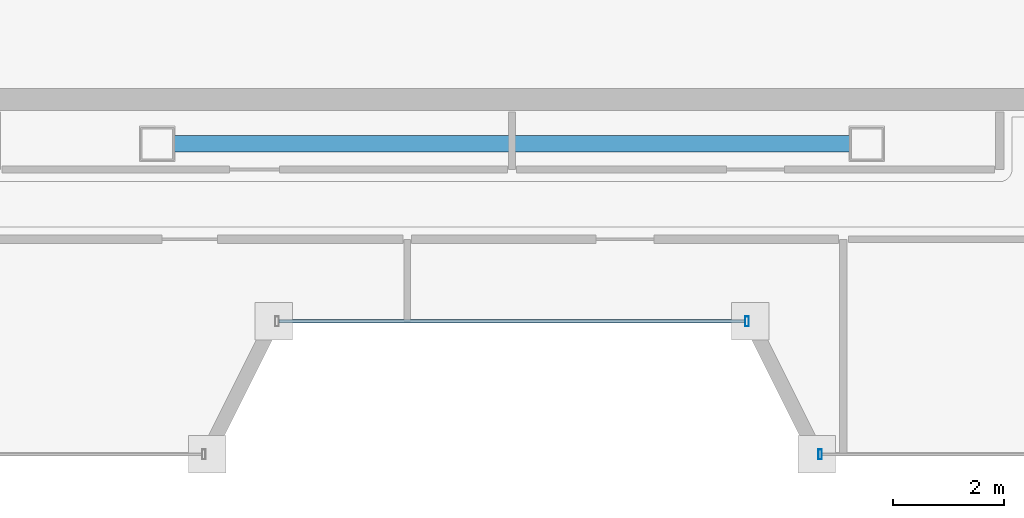
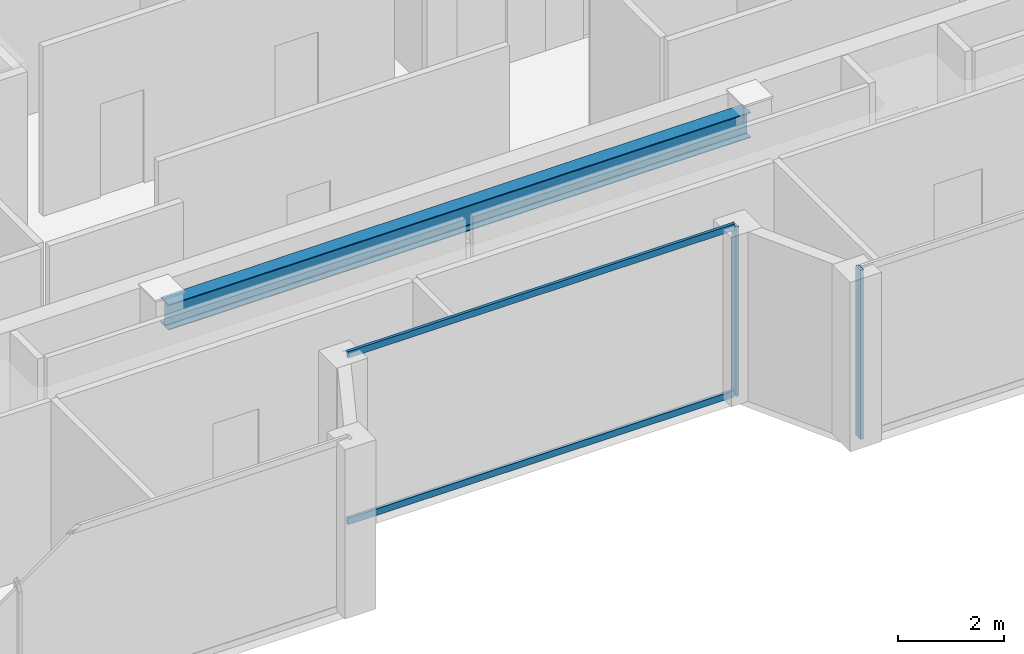
# One storey, part 5 of 17: 4 members, 1 beam, 2 elements without a shape of their own.
"""IFC4 building model written with IfcOpenShell, lengths in metres."""

import ifcopenshell
import ifcopenshell.guid

model = None  # the IFC model being written
_history = None  # IfcOwnerHistory: only IFC2X3 demands one
_inside = {}  # id of a spatial element -> (the spatial element, [elements in it])
_under = {}  # id of a project, library or spatial element -> (it, [spatial elements below it])
_declared = {}  # id of a project -> (the project, [libraries it declares])
_typed = {}  # id of a type object -> (the type object, [elements of that type])
_made_of = {}  # id of a material, layer set ... -> (it, [elements and type objects made of it])


def new_model(schema):
    """Start an empty IFC model of exactly this schema.

    Asked for "IFC4X3", IfcOpenShell would pick the latest addendum, in which some entities
    have other attributes; the version numbers below select the first issue.
    IFC2X3 requires an IfcOwnerHistory on every rooted entity: one is made here for all.
    """
    global model, _history
    if schema == "IFC4X3":
        model = ifcopenshell.file(schema_version=(4, 3, 0, 0))
    else:
        model = ifcopenshell.file(schema=schema)
    _inside.clear()
    _under.clear()
    _declared.clear()
    _typed.clear()
    _made_of.clear()
    _history = None
    if model.schema == "IFC2X3":
        org = make("IfcOrganization", Name="unknown")
        user = make(
            "IfcPersonAndOrganization",
            ThePerson=make("IfcPerson", FamilyName="unknown"),
            TheOrganization=org,
        )
        app = make(
            "IfcApplication",
            ApplicationDeveloper=org,
            Version="unknown",
            ApplicationFullName="unknown",
            ApplicationIdentifier="unknown",
        )
        _history = make(
            "IfcOwnerHistory",
            OwningUser=user,
            OwningApplication=app,
            ChangeAction="ADDED",
            CreationDate=0,
        )
    return model


def make(cls, **values):
    """One entity of the class cls with the attributes given. An attribute that is None is left unset."""
    return model.create_entity(
        cls, **{name: value for name, value in values.items() if value is not None}
    )


def rooted(cls, **values):
    """An entity with a GlobalId (a new one), such as an element, a storey or a relation."""
    return make(cls, GlobalId=ifcopenshell.guid.new(), OwnerHistory=_history, **values)


def si_unit(unit_type, name, prefix=None):
    """IfcSIUnit, for example si_unit("LENGTHUNIT", "METRE", prefix="MILLI")."""
    return make("IfcSIUnit", UnitType=unit_type, Prefix=prefix, Name=name)


def assignment(units):
    """IfcUnitAssignment: the units of a project."""
    return None if units is None else make("IfcUnitAssignment", Units=units)


def point(xyz):
    """IfcCartesianPoint."""
    return None if xyz is None else make("IfcCartesianPoint", Coordinates=xyz)


def direction(xyz):
    """IfcDirection."""
    return None if xyz is None else make("IfcDirection", DirectionRatios=xyz)


def frame(location, z_axis=None, x_axis=None):
    """IfcAxis2Placement3D, a coordinate frame: its origin and axes. An axis left out is left unset."""
    return make(
        "IfcAxis2Placement3D",
        Location=point(location),
        Axis=direction(z_axis),
        RefDirection=direction(x_axis),
    )


def frame_2d(location, x_axis=None):
    """IfcAxis2Placement2D, a coordinate frame in the plane: its origin and x axis."""
    return make(
        "IfcAxis2Placement2D", Location=point(location), RefDirection=direction(x_axis)
    )


def origin():
    """The frame at (0, 0, 0) with its axes left unset."""
    return frame((0.0, 0.0, 0.0))


def origin_2d():
    """The frame at (0, 0) in the plane with its x axis left unset."""
    return frame_2d((0.0, 0.0))


def place(relative_to, where):
    """IfcLocalPlacement: puts the frame where relative to a parent placement (None: the world)."""
    return make(
        "IfcLocalPlacement", PlacementRelTo=relative_to, RelativePlacement=where
    )


def context(
    kind, dimensions, precision=None, world=None, true_north=None, identifier=None
):
    """IfcGeometricRepresentationContext, for example the 3D "Model" context."""
    return make(
        "IfcGeometricRepresentationContext",
        ContextIdentifier=identifier,
        ContextType=kind,
        CoordinateSpaceDimension=dimensions,
        Precision=precision,
        WorldCoordinateSystem=world,
        TrueNorth=true_north,
    )


def subcontext(parent, identifier, kind, view, scale=None):
    """IfcGeometricRepresentationSubContext, for example "Body" below "Model"."""
    return make(
        "IfcGeometricRepresentationSubContext",
        ContextIdentifier=identifier,
        ContextType=kind,
        ParentContext=parent,
        TargetScale=scale,
        TargetView=view,
    )


def project(units=None, contexts=None):
    """IfcProject with its units and contexts."""
    return rooted(
        "IfcProject",
        Name="project",
        RepresentationContexts=contexts,
        UnitsInContext=assignment(units),
    )


def spatial(cls, under=None, at=None, **own):
    """A site, building, storey or space (cls), placed at a placement, below another one or the project."""
    s = rooted(cls, ObjectPlacement=at, **own)
    if under is not None:
        _under.setdefault(under.id(), (under, []))[1].append(s)
    return s


def profile(cls, at=None, kind="AREA", **sizes):
    """A parametric profile (cls). Its sizes go by their IFC names, for example OverallWidth=200.0."""
    return make(cls, ProfileType=kind, Position=at, **sizes)


def hollow_rectangle(**sizes):
    """IfcRectangleHollowProfileDef."""
    return profile("IfcRectangleHollowProfileDef", **sizes)


def i_section(**sizes):
    """IfcIShapeProfileDef."""
    return profile("IfcIShapeProfileDef", **sizes)


def extrude(swept, where, along, depth):
    """IfcExtrudedAreaSolid: the profile swept, set in the frame where, extruded along a direction by depth."""
    return make(
        "IfcExtrudedAreaSolid",
        SweptArea=swept,
        Position=where,
        ExtrudedDirection=direction(along),
        Depth=depth,
    )


def shape(context_of_items, identifier, shape_type, items):
    """IfcShapeRepresentation: the items that make up one representation, for example the "Body"."""
    return make(
        "IfcShapeRepresentation",
        ContextOfItems=context_of_items,
        RepresentationIdentifier=identifier,
        RepresentationType=shape_type,
        Items=items,
    )


def material(Name=None, Category=None):
    """IfcMaterial."""
    return make("IfcMaterial", Name=Name, Category=Category)


def material_profile(
    of_material, cross_section, Name=None, Category=None, Priority=None
):
    """IfcMaterialProfile: a cross section and its material."""
    return make(
        "IfcMaterialProfile",
        Name=Name,
        Material=of_material,
        Profile=cross_section,
        Priority=Priority,
        Category=Category,
    )


def profile_set(profiles, Name=None, composite=None):
    """IfcMaterialProfileSet."""
    return make(
        "IfcMaterialProfileSet",
        Name=Name,
        MaterialProfiles=profiles,
        CompositeProfile=composite,
    )


def made_of(thing, what):
    """Note that an element or type object is made of a material, layer set ...; save() writes the relation."""
    if what is not None:
        _made_of.setdefault(what.id(), (what, []))[1].append(thing)
    return thing


def type_object(cls, material=None, **own):
    """A type object (cls), such as IfcWallType, which elements share."""
    return made_of(rooted(cls, **own), material)


def element(
    cls,
    number,
    at=None,
    inside=None,
    cuts=None,
    type_object=None,
    material=None,
    context=None,
    identifier="Body",
    shape_type=None,
    held_by="IfcProductDefinitionShape",
    body=None,
    shapes=None,
    **own,
):
    """One element of the class cls, such as IfcWall. Its Tag is "e" and its number.

    at: its placement. inside: the storey or other place that contains it. cuts: it is an
    opening in that element (IfcRelVoidsElement). A single representation is given by context,
    identifier, shape_type and body (its items); several are given by shapes. held_by: the class
    of the entity that holds the representations. save() writes the other relations.
    """
    e = rooted(cls, Tag="e%d" % number, ObjectPlacement=at, **own)
    if body is not None:
        shapes = [shape(context, identifier, shape_type, body)]
    if shapes is not None:
        e.Representation = make(held_by, Representations=shapes)
    if inside is not None:
        _inside.setdefault(inside.id(), (inside, []))[1].append(e)
    if cuts is not None:
        rooted(
            "IfcRelVoidsElement", RelatingBuildingElement=cuts, RelatedOpeningElement=e
        )
    if type_object is not None:
        _typed.setdefault(type_object.id(), (type_object, []))[1].append(e)
    return made_of(e, material)


def aggregate(whole, parts):
    """IfcRelAggregates: a whole, such as a stair, and the parts it consists of."""
    return rooted("IfcRelAggregates", RelatingObject=whole, RelatedObjects=parts)


def save(model, path):
    """Write the relations noted so far, then the file.

    IfcRelAggregates (storeys below a building ...), IfcRelContainedInSpatialStructure (elements
    in a storey), IfcRelDefinesByType, IfcRelAssociatesMaterial and IfcRelDeclares: one each for
    every whole, place, type object, material and project.
    """
    for whole, parts in _under.values():
        aggregate(whole, parts)
    for where, things in _inside.values():
        rooted(
            "IfcRelContainedInSpatialStructure",
            RelatedElements=things,
            RelatingStructure=where,
        )
    for kind, things in _typed.values():
        rooted("IfcRelDefinesByType", RelatedObjects=things, RelatingType=kind)
    for what, things in _made_of.values():
        rooted("IfcRelAssociatesMaterial", RelatedObjects=things, RelatingMaterial=what)
    for by, libraries in _declared.values():
        rooted("IfcRelDeclares", RelatingContext=by, RelatedDefinitions=libraries)
    model.write(path)


model = new_model("IFC4")

# Units and contexts
model_context = context("Model", 3, precision=1e-05, world=origin(), true_north=direction((0.0, 1.0)))
body_context = subcontext(model_context, "Body", "Model", "MODEL_VIEW")
ifc_project = project(units=[si_unit("LENGTHUNIT", "METRE"), si_unit("AREAUNIT", "SQUARE_METRE"), si_unit("VOLUMEUNIT", "CUBIC_METRE"), si_unit("PLANEANGLEUNIT", "RADIAN"), si_unit("MASSUNIT", "GRAM", prefix="KILO")], contexts=[model_context])

# Site, building, storey
site_placement = place(None, origin())
site = spatial("IfcSite", under=ifc_project, at=site_placement, CompositionType="ELEMENT")
building_placement = place(site_placement, origin())
building = spatial("IfcBuilding", under=site, at=building_placement, Name="Saevonmaru Cultural Tower", CompositionType="ELEMENT")
storey_placement = place(building_placement, frame((0.0, 0.0, 323.39990234375)))
storey = spatial("IfcBuildingStorey", under=building, at=storey_placement, Name="L77", CompositionType="ELEMENT", Elevation=323.39990234375)

# Beam
ifc_material_1 = material(Name="Steel SM355", Category="steel")
ifc_material_profile_1 = material_profile(ifc_material_1, i_section(OverallWidth=0.300048828125, OverallDepth=0.587890625, WebThickness=0.011962890625, FlangeThickness=0.02001953125, FilletRadius=0.02392578125, at=origin_2d()), Name="H-588x300x12x20")
ifc_profile_set_1 = profile_set([ifc_material_profile_1], Name="Steel SM355")
beam_type = type_object("IfcBeamType", Name="BM-G-H588", PredefinedType="BEAM", material=ifc_profile_set_1)
beam_placement = place(storey_placement, frame((23.659912109375, 42.39990234375, 3.606201171875), z_axis=(1.0, 0.0, 0.0), x_axis=(0.0, 1.0, 0.0)))
element("IfcBeam", 1, at=beam_placement, inside=storey, type_object=beam_type, Name="L77 Core South Girder 3", PredefinedType="BEAM", context=body_context, shape_type="SweptSolid", body=[
    extrude(i_section(OverallWidth=0.300048828125, OverallDepth=0.587890625, WebThickness=0.011962890625, FlangeThickness=0.02001953125, FilletRadius=0.02392578125, at=origin_2d()), origin(), (0.0, 0.0, 1.0), 12.68017578125),
])

# Curtain wall, member
ifc_material_2 = material(Name="Satin Bronze Anodised Aluminium", Category="aluminium")
curtain_wall_type = type_object("IfcCurtainWallType", Name="CW-SKY-GLZ", PredefinedType="NOTDEFINED", material=ifc_material_2)
curtain_wall_1_placement = place(storey_placement, origin())
curtain_wall_1 = element("IfcCurtainWall", 2, at=curtain_wall_1_placement, inside=storey, type_object=curtain_wall_type, Name="L77 Unitised Curtain Wall E4", PredefinedType="NOTDEFINED")
ifc_material_profile_2 = material_profile(ifc_material_2, hollow_rectangle(XDim=0.06494140625, YDim=0.179931640625, WallThickness=0.00390625, at=origin_2d()), Name="ALU-MULL-180x65x4")
ifc_profile_set_2 = profile_set([ifc_material_profile_2], Name="Satin Bronze Anodised Aluminium")
member_type_1 = type_object("IfcMemberType", Name="ML-CW-180x65", PredefinedType="MULLION", material=ifc_profile_set_2)
member_1_placement = place(storey_placement, frame((34.239990234375, 39.199951171875, 0.0), z_axis=(0.0, 0.0, 1.0), x_axis=(1.0, 0.0, 0.0)))
member_1 = element("IfcMember", 3, at=member_1_placement, type_object=member_type_1, Name="CW-TW-L77-E4 mullion 2", PredefinedType="MULLION", context=body_context, shape_type="SweptSolid", body=[
    extrude(hollow_rectangle(XDim=0.06494140625, YDim=0.179931640625, WallThickness=0.00390625, at=origin_2d()), origin(), (0.0, 0.0, 1.0), 3.900146484375),
])

curtain_wall_2_placement = place(storey_placement, origin())
curtain_wall_2 = element("IfcCurtainWall", 4, at=curtain_wall_2_placement, inside=storey, type_object=curtain_wall_type, Name="L77 Unitised Curtain Wall E6", PredefinedType="NOTDEFINED")
member_2_placement = place(storey_placement, frame((35.56005859375, 36.800048828125, 0.0), z_axis=(0.0, 0.0, 1.0), x_axis=(1.0, 0.0, 0.0)))
member_2 = element("IfcMember", 5, at=member_2_placement, type_object=member_type_1, Name="CW-TW-L77-E6 mullion 1", PredefinedType="MULLION", context=body_context, shape_type="SweptSolid", body=[
    extrude(hollow_rectangle(XDim=0.06494140625, YDim=0.179931640625, WallThickness=0.00390625, at=origin_2d()), origin(), (0.0, 0.0, 1.0), 3.900146484375),
])
aggregate(curtain_wall_2, [member_2])

# Member
ifc_material_profile_3 = material_profile(ifc_material_2, hollow_rectangle(XDim=0.06494140625, YDim=0.14990234375, WallThickness=0.00390625, at=origin_2d()), Name="ALU-TRAN-150x65x4")
ifc_profile_set_3 = profile_set([ifc_material_profile_3], Name="Satin Bronze Anodised Aluminium")
member_type_2 = type_object("IfcMemberType", Name="TR-CW-150x65", PredefinedType="USERDEFINED", material=ifc_profile_set_3)
member_3_placement = place(storey_placement, frame((25.79248046875, 39.199951171875, 0.03271484375), z_axis=(1.0, 0.0, 0.0), x_axis=(0.0, 1.0, 0.0)))
member_3 = element("IfcMember", 6, at=member_3_placement, type_object=member_type_2, Name="CW-TW-L77-E4 transom 1.1", ObjectType="TRANSOM", PredefinedType="USERDEFINED", context=body_context, shape_type="SweptSolid", body=[
    extrude(hollow_rectangle(XDim=0.06494140625, YDim=0.14990234375, WallThickness=0.00390625, at=origin_2d()), origin(), (0.0, 0.0, 1.0), 8.4150390625),
])

member_4_placement = place(storey_placement, frame((25.79248046875, 39.199951171875, 3.86767578125), z_axis=(1.0, 0.0, 0.0), x_axis=(0.0, 1.0, 0.0)))
member_4 = element("IfcMember", 7, at=member_4_placement, type_object=member_type_2, Name="CW-TW-L77-E4 transom 1.2", ObjectType="TRANSOM", PredefinedType="USERDEFINED", context=body_context, shape_type="SweptSolid", body=[
    extrude(hollow_rectangle(XDim=0.06494140625, YDim=0.14990234375, WallThickness=0.00390625, at=origin_2d()), origin(), (0.0, 0.0, 1.0), 8.4150390625),
])

aggregate(curtain_wall_1, [member_1, member_3, member_4])

save(model, "model.ifc")
